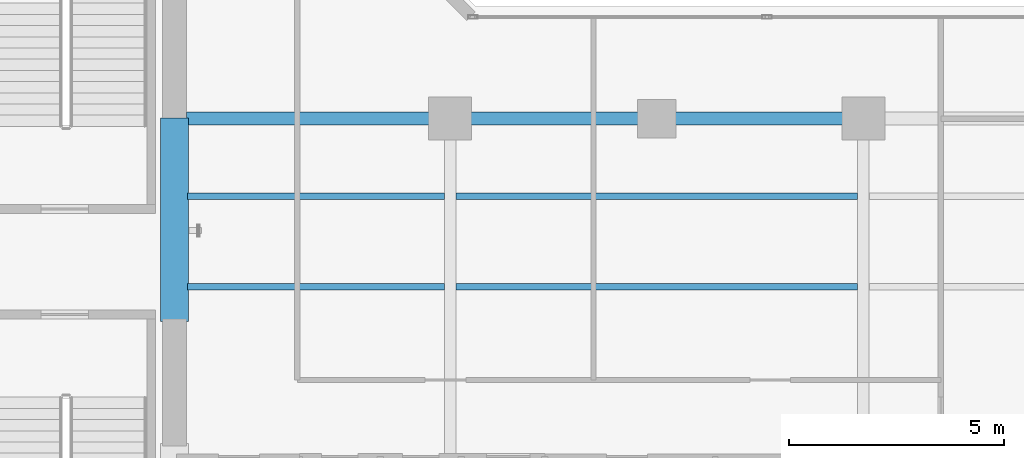
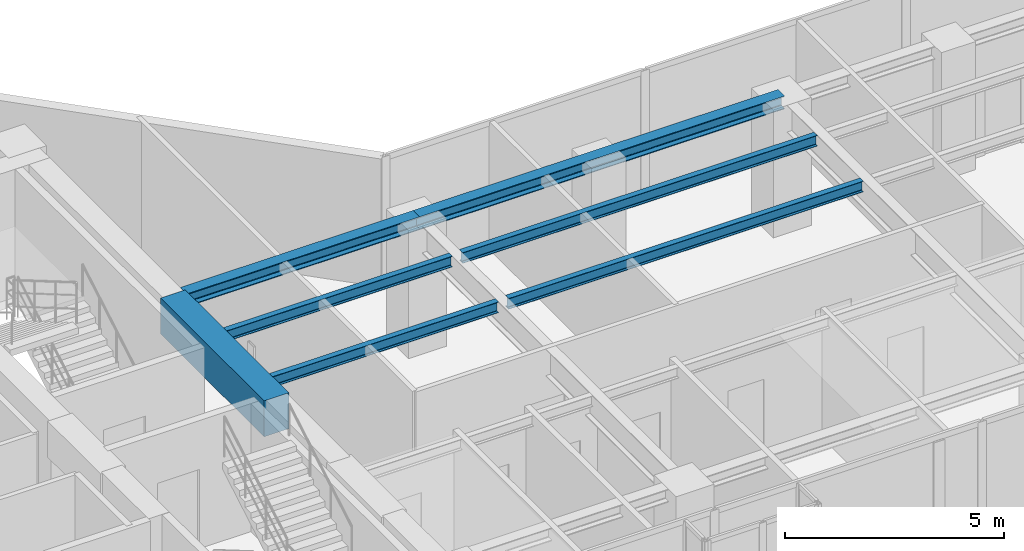
# One storey, part 6 of 22: 7 beams.
"""IFC4 building model written with IfcOpenShell, lengths in metres."""

from ifc_helpers import new_model, si_unit, direction, frame, origin, origin_2d, place, context, subcontext, project, spatial, rectangle, i_section, extrude, material, material_profile, profile_set, type_object, element, save


model = new_model("IFC4")

# Units and contexts
model_context = context("Model", 3, precision=1e-05, world=origin(), true_north=direction((0.0, 1.0)))
body_context = subcontext(model_context, "Body", "Model", "MODEL_VIEW")
ifc_project = project(units=[si_unit("LENGTHUNIT", "METRE"), si_unit("AREAUNIT", "SQUARE_METRE"), si_unit("VOLUMEUNIT", "CUBIC_METRE"), si_unit("PLANEANGLEUNIT", "RADIAN"), si_unit("MASSUNIT", "GRAM", prefix="KILO")], contexts=[model_context])

# Site, building, storey
site_placement = place(None, origin())
site = spatial("IfcSite", under=ifc_project, at=site_placement, CompositionType="ELEMENT")
building_placement = place(site_placement, origin())
building = spatial("IfcBuilding", under=site, at=building_placement, Name="Kolvaren Waterfront Exchange", CompositionType="ELEMENT")
storey_placement = place(building_placement, frame((0.0, 0.0, 246.300048828125)))
storey = spatial("IfcBuildingStorey", under=building, at=storey_placement, Name="L63", CompositionType="ELEMENT", Elevation=246.300048828125)

# Beams
ifc_material_1 = material(Name="Steel S355", Category="steel")
ifc_material_profile_1 = material_profile(ifc_material_1, i_section(OverallWidth=0.300048828125, OverallDepth=0.360107421875, WebThickness=0.012451171875, FlangeThickness=0.0224609375, FilletRadius=0.027099609375, at=origin_2d()), Name="HEB360")
ifc_profile_set_1 = profile_set([ifc_material_profile_1], Name="Steel S355")
beam_type_1 = type_object("IfcBeamType", Name="STR-BM-HEB360", PredefinedType="SPANDREL", material=ifc_profile_set_1)
beam_1_placement = place(storey_placement, frame((21.074951171875, 17.39990234375, 3.3798828125), z_axis=(1.0, 0.0, 0.0), x_axis=(0.0, 1.0, 0.0)))
element("IfcBeam", 1, at=beam_1_placement, inside=storey, type_object=beam_type_1, Name="L63 east-arm spandrel N1", PredefinedType="SPANDREL", context=body_context, shape_type="SweptSolid", body=[
    extrude(i_section(OverallWidth=0.300048828125, OverallDepth=0.360107421875, WebThickness=0.012451171875, FlangeThickness=0.0224609375, FilletRadius=0.027099609375, at=origin_2d()), origin(), (0.0, 0.0, 1.0), 6.125),
])
beam_2_placement = place(storey_placement, frame((27.199951171875, 17.39990234375, 3.3798828125), z_axis=(1.0, 0.0, 0.0), x_axis=(0.0, 1.0, 0.0)))
element("IfcBeam", 2, at=beam_2_placement, inside=storey, type_object=beam_type_1, Name="L63 east-arm spandrel N2", PredefinedType="SPANDREL", context=body_context, shape_type="SweptSolid", body=[
    extrude(i_section(OverallWidth=0.300048828125, OverallDepth=0.360107421875, WebThickness=0.012451171875, FlangeThickness=0.0224609375, FilletRadius=0.027099609375, at=origin_2d()), origin(), (0.0, 0.0, 1.0), 9.60009765625),
])
ifc_material_profile_2 = material_profile(ifc_material_1, i_section(OverallWidth=0.14990234375, OverallDepth=0.300048828125, WebThickness=0.007080078125, FlangeThickness=0.0107421875, FilletRadius=0.014892578125, at=origin_2d()), Name="IPE300")
ifc_profile_set_2 = profile_set([ifc_material_profile_2], Name="Steel S355")
beam_type_2 = type_object("IfcBeamType", Name="STR-BM-IPE300", PredefinedType="JOIST", material=ifc_profile_set_2)
for number, where, z_axis, x_axis, name in (
    (3, (21.10009765625, 13.5, 3.409912109375), (1.0, 0.0, 0.0), (0.0, 1.0, 0.0), "L63 east-arm composite joist 1A"),
    (4, (21.10009765625, 15.60009765625, 3.409912109375), (1.0, 0.0, 0.0), (0.0, 1.0, 0.0), "L63 east-arm composite joist 1C"),
):
    element("IfcBeam", number, at=place(storey_placement, frame(where, z_axis=z_axis, x_axis=x_axis)), inside=storey, type_object=beam_type_2, Name=name, PredefinedType="JOIST", context=body_context, shape_type="SweptSolid", body=[
        extrude(i_section(OverallWidth=0.14990234375, OverallDepth=0.300048828125, WebThickness=0.007080078125, FlangeThickness=0.0107421875, FilletRadius=0.014892578125, at=origin_2d()), origin(), (0.0, 0.0, 1.0), 5.96435546875),
    ])
for number, where, z_axis, x_axis, name in (
    (5, (27.33544921875, 13.5, 3.409912109375), (1.0, 0.0, 0.0), (0.0, 1.0, 0.0), "L63 east-arm composite joist 2A"),
    (6, (27.33544921875, 15.60009765625, 3.409912109375), (1.0, 0.0, 0.0), (0.0, 1.0, 0.0), "L63 east-arm composite joist 2C"),
):
    element("IfcBeam", number, at=place(storey_placement, frame(where, z_axis=z_axis, x_axis=x_axis)), inside=storey, type_object=beam_type_2, Name=name, PredefinedType="JOIST", context=body_context, shape_type="SweptSolid", body=[
        extrude(i_section(OverallWidth=0.14990234375, OverallDepth=0.300048828125, WebThickness=0.007080078125, FlangeThickness=0.0107421875, FilletRadius=0.014892578125, at=origin_2d()), origin(), (0.0, 0.0, 1.0), 9.3291015625),
    ])
ifc_material_2 = material(Name="Concrete C60/75", Category="concrete")
ifc_material_profile_3 = material_profile(ifc_material_2, rectangle(XDim=0.64990234375, YDim=1.0, at=origin_2d()), Name="RC-CB-1000x650")
ifc_profile_set_3 = profile_set([ifc_material_profile_3], Name="Concrete C60/75")
beam_type_3 = type_object("IfcBeamType", Name="STR-CB-1000", PredefinedType="SPANDREL", material=ifc_profile_set_3)
beam_3_placement = place(storey_placement, frame((20.800048828125, 12.68994140625, 3.06005859375), z_axis=(0.0, 1.0, 0.0), x_axis=(-1.0, 0.0, 0.0)))
element("IfcBeam", 7, at=beam_3_placement, inside=storey, type_object=beam_type_3, Name="L63 core coupling beam 2", PredefinedType="SPANDREL", context=body_context, shape_type="SweptSolid", body=[
    extrude(rectangle(XDim=0.64990234375, YDim=1.0, at=origin_2d()), origin(), (0.0, 0.0, 1.0), 4.719970703125),
])

save(model, "model.ifc")
